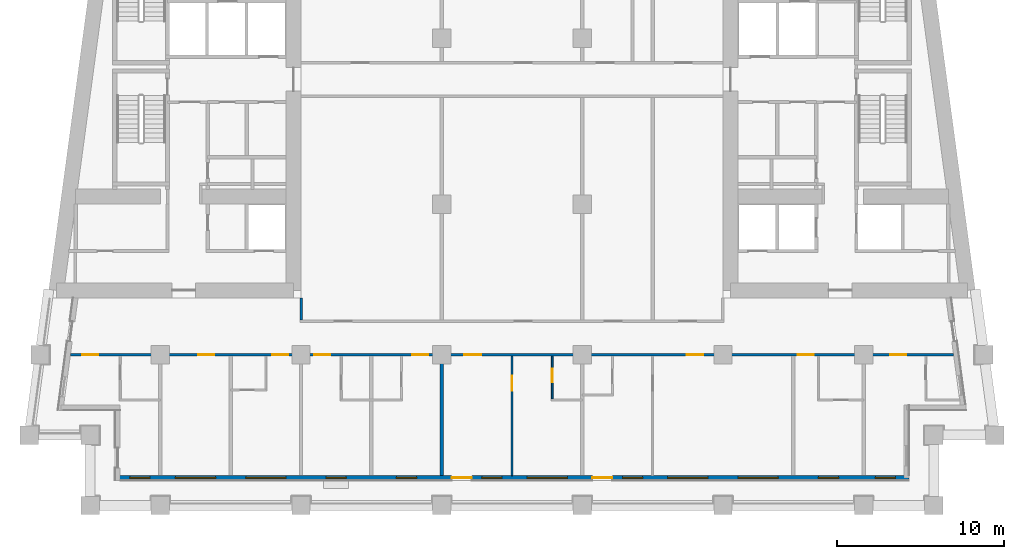
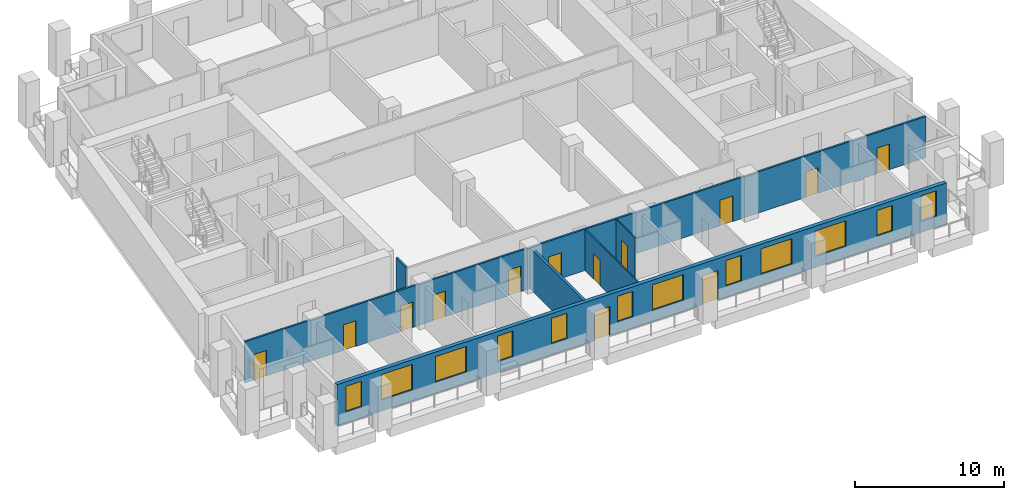
# One storey, part 3 of 13: 13 doors, 12 windows, 6 walls, 25 openings.
"""IFC4 building model written with IfcOpenShell, lengths in metres."""

from ifc_helpers import new_model, si_unit, direction, frame, frame_2d, origin, place, context, subcontext, project, spatial, rectangle, extrude, material, layer, layer_set, type_object, element, fill, save


model = new_model("IFC4")

# Units and contexts
model_context = context("Model", 3, precision=1e-05, world=origin(), true_north=direction((0.0, 1.0)))
body_context = subcontext(model_context, "Body", "Model", "MODEL_VIEW")
ifc_project = project(units=[si_unit("LENGTHUNIT", "METRE"), si_unit("AREAUNIT", "SQUARE_METRE"), si_unit("VOLUMEUNIT", "CUBIC_METRE"), si_unit("PLANEANGLEUNIT", "RADIAN"), si_unit("MASSUNIT", "GRAM", prefix="KILO")], contexts=[model_context])

# Site, building, storey
site_placement = place(None, origin())
site = spatial("IfcSite", under=ifc_project, at=site_placement, CompositionType="ELEMENT")
building_placement = place(site_placement, origin())
building = spatial("IfcBuilding", under=site, at=building_placement, Name="Candeia Pilgrim Tower and Theatre", CompositionType="ELEMENT")
storey_placement = place(building_placement, frame((0.0, 0.0, 155.199951171875)))
storey = spatial("IfcBuildingStorey", under=building, at=storey_placement, Name="L36", CompositionType="ELEMENT", Elevation=155.199951171875)

# Wall, openings, doors, windows
ifc_material_1 = material(Name="Ceramic block masonry", Category="masonry")
ifc_layer_1 = layer(ifc_material_1, 0.300048828125)
ifc_layer_set_1 = layer_set([ifc_layer_1], Name="EW1 glazing-line wall 300")
wall_type_1 = type_object("IfcWallType", Name="EW1 glazing-line wall 300", PredefinedType="SOLIDWALL", material=ifc_layer_set_1)
wall_1_placement = place(storey_placement, frame((89.85009765625, 99.64990234375, 0.0), z_axis=(0.0, 0.0, 1.0), x_axis=(1.0, 0.0, 0.0)))
wall_1 = element("IfcWall", 1, at=wall_1_placement, inside=storey, type_object=wall_type_1, Name="External wall L36-0.0", PredefinedType="SOLIDWALL", context=body_context, shape_type="SweptSolid", body=[
    extrude(rectangle(XDim=47.25, YDim=0.300048828125, at=frame_2d((23.625, 0.0))), origin(), (0.0, 0.0, 1.0), 3.380126953125),
])
opening_1_placement = place(wall_1_placement, frame((0.72509765625, 0.0, 0.89990234375)))
opening_1 = element("IfcOpeningElement", 2, at=opening_1_placement, cuts=wall_1, Name="Opening W-B", PredefinedType="OPENING", context=body_context, shape_type="SweptSolid", body=[
    extrude(rectangle(XDim=1.199951171875, YDim=2.10009765625, at=frame_2d((0.60009765625, 1.050048828125))), frame((0.0, 0.16015625, 0.0), z_axis=(0.0, -1.0, 0.0), x_axis=(1.0, 0.0, 0.0)), (0.0, 0.0, 1.0), 0.320068359375),
])
opening_2_placement = place(wall_1_placement, frame((3.449951171875, 0.0, 0.89990234375)))
opening_2 = element("IfcOpeningElement", 3, at=opening_2_placement, cuts=wall_1, Name="Opening W-A", PredefinedType="OPENING", context=body_context, shape_type="SweptSolid", body=[
    extrude(rectangle(XDim=2.39990234375, YDim=2.10009765625, at=frame_2d((1.199951171875, 1.050048828125))), frame((0.0, 0.16015625, 0.0), z_axis=(0.0, -1.0, 0.0), x_axis=(1.0, 0.0, 0.0)), (0.0, 0.0, 1.0), 0.320068359375),
])
opening_3_placement = place(wall_1_placement, frame((7.64990234375, 0.0, 0.89990234375)))
opening_3 = element("IfcOpeningElement", 4, at=opening_3_placement, cuts=wall_1, Name="Opening W-A", PredefinedType="OPENING", context=body_context, shape_type="SweptSolid", body=[
    extrude(rectangle(XDim=2.39990234375, YDim=2.10009765625, at=frame_2d((1.199951171875, 1.050048828125))), frame((0.0, 0.16015625, 0.0), z_axis=(0.0, -1.0, 0.0), x_axis=(1.0, 0.0, 0.0)), (0.0, 0.0, 1.0), 0.320068359375),
])
opening_4_placement = place(wall_1_placement, frame((12.449951171875, 0.0, 0.89990234375)))
opening_4 = element("IfcOpeningElement", 5, at=opening_4_placement, cuts=wall_1, Name="Opening W-B", PredefinedType="OPENING", context=body_context, shape_type="SweptSolid", body=[
    extrude(rectangle(XDim=1.199951171875, YDim=2.10009765625, at=frame_2d((0.60009765625, 1.050048828125))), frame((0.0, 0.16015625, 0.0), z_axis=(0.0, -1.0, 0.0), x_axis=(1.0, 0.0, 0.0)), (0.0, 0.0, 1.0), 0.320068359375),
])
opening_5_placement = place(wall_1_placement, frame((16.64990234375, 0.0, 0.89990234375)))
opening_5 = element("IfcOpeningElement", 6, at=opening_5_placement, cuts=wall_1, Name="Opening W-B", PredefinedType="OPENING", context=body_context, shape_type="SweptSolid", body=[
    extrude(rectangle(XDim=1.199951171875, YDim=2.10009765625, at=frame_2d((0.60009765625, 1.050048828125))), frame((0.0, 0.16015625, 0.0), z_axis=(0.0, -1.0, 0.0), x_axis=(1.0, 0.0, 0.0)), (0.0, 0.0, 1.0), 0.320068359375),
])
opening_6_placement = place(wall_1_placement, frame((19.949951171875, 0.0, 0.0)))
opening_6 = element("IfcOpeningElement", 7, at=opening_6_placement, cuts=wall_1, Name="Opening L36-ED344", PredefinedType="OPENING", context=body_context, shape_type="SweptSolid", body=[
    extrude(rectangle(XDim=1.199951171875, YDim=2.39990234375, at=frame_2d((0.60009765625, 1.199951171875))), frame((0.0, 0.16015625, 0.0), z_axis=(0.0, -1.0, 0.0), x_axis=(1.0, 0.0, 0.0)), (0.0, 0.0, 1.0), 0.320068359375),
])
opening_7_placement = place(wall_1_placement, frame((21.75, 0.0, 0.89990234375)))
opening_7 = element("IfcOpeningElement", 8, at=opening_7_placement, cuts=wall_1, Name="Opening W-B", PredefinedType="OPENING", context=body_context, shape_type="SweptSolid", body=[
    extrude(rectangle(XDim=1.199951171875, YDim=2.10009765625, at=frame_2d((0.60009765625, 1.050048828125))), frame((0.0, 0.16015625, 0.0), z_axis=(0.0, -1.0, 0.0), x_axis=(1.0, 0.0, 0.0)), (0.0, 0.0, 1.0), 0.320068359375),
])
opening_8_placement = place(wall_1_placement, frame((24.449951171875, 0.0, 0.89990234375)))
opening_8 = element("IfcOpeningElement", 9, at=opening_8_placement, cuts=wall_1, Name="Opening W-A", PredefinedType="OPENING", context=body_context, shape_type="SweptSolid", body=[
    extrude(rectangle(XDim=2.39990234375, YDim=2.10009765625, at=frame_2d((1.199951171875, 1.050048828125))), frame((0.0, 0.16015625, 0.0), z_axis=(0.0, -1.0, 0.0), x_axis=(1.0, 0.0, 0.0)), (0.0, 0.0, 1.0), 0.320068359375),
])
opening_9_placement = place(wall_1_placement, frame((28.35009765625, 0.0, 0.0)))
opening_9 = element("IfcOpeningElement", 10, at=opening_9_placement, cuts=wall_1, Name="Opening L36-ED345", PredefinedType="OPENING", context=body_context, shape_type="SweptSolid", body=[
    extrude(rectangle(XDim=1.199951171875, YDim=2.39990234375, at=frame_2d((0.60009765625, 1.199951171875))), frame((0.0, 0.16015625, 0.0), z_axis=(0.0, -1.0, 0.0), x_axis=(1.0, 0.0, 0.0)), (0.0, 0.0, 1.0), 0.320068359375),
])
opening_10_placement = place(wall_1_placement, frame((30.14990234375, 0.0, 0.89990234375)))
opening_10 = element("IfcOpeningElement", 11, at=opening_10_placement, cuts=wall_1, Name="Opening W-B", PredefinedType="OPENING", context=body_context, shape_type="SweptSolid", body=[
    extrude(rectangle(XDim=1.199951171875, YDim=2.10009765625, at=frame_2d((0.60009765625, 1.050048828125))), frame((0.0, 0.16015625, 0.0), z_axis=(0.0, -1.0, 0.0), x_axis=(1.0, 0.0, 0.0)), (0.0, 0.0, 1.0), 0.320068359375),
])
opening_11_placement = place(wall_1_placement, frame((32.85009765625, 0.0, 0.89990234375)))
opening_11 = element("IfcOpeningElement", 12, at=opening_11_placement, cuts=wall_1, Name="Opening W-A", PredefinedType="OPENING", context=body_context, shape_type="SweptSolid", body=[
    extrude(rectangle(XDim=2.39990234375, YDim=2.10009765625, at=frame_2d((1.199951171875, 1.050048828125))), frame((0.0, 0.16015625, 0.0), z_axis=(0.0, -1.0, 0.0), x_axis=(1.0, 0.0, 0.0)), (0.0, 0.0, 1.0), 0.320068359375),
])
opening_12_placement = place(wall_1_placement, frame((37.050048828125, 0.0, 0.89990234375)))
opening_12 = element("IfcOpeningElement", 13, at=opening_12_placement, cuts=wall_1, Name="Opening W-A", PredefinedType="OPENING", context=body_context, shape_type="SweptSolid", body=[
    extrude(rectangle(XDim=2.39990234375, YDim=2.10009765625, at=frame_2d((1.199951171875, 1.050048828125))), frame((0.0, 0.16015625, 0.0), z_axis=(0.0, -1.0, 0.0), x_axis=(1.0, 0.0, 0.0)), (0.0, 0.0, 1.0), 0.320068359375),
])
opening_13_placement = place(wall_1_placement, frame((41.85009765625, 0.0, 0.89990234375)))
opening_13 = element("IfcOpeningElement", 14, at=opening_13_placement, cuts=wall_1, Name="Opening W-B", PredefinedType="OPENING", context=body_context, shape_type="SweptSolid", body=[
    extrude(rectangle(XDim=1.199951171875, YDim=2.10009765625, at=frame_2d((0.60009765625, 1.050048828125))), frame((0.0, 0.16015625, 0.0), z_axis=(0.0, -1.0, 0.0), x_axis=(1.0, 0.0, 0.0)), (0.0, 0.0, 1.0), 0.320068359375),
])
opening_14_placement = place(wall_1_placement, frame((45.25, 0.0, 0.89990234375)))
opening_14 = element("IfcOpeningElement", 15, at=opening_14_placement, cuts=wall_1, Name="Opening W-B", PredefinedType="OPENING", context=body_context, shape_type="SweptSolid", body=[
    extrude(rectangle(XDim=1.199951171875, YDim=2.10009765625, at=frame_2d((0.60009765625, 1.050048828125))), frame((0.0, 0.16015625, 0.0), z_axis=(0.0, -1.0, 0.0), x_axis=(1.0, 0.0, 0.0)), (0.0, 0.0, 1.0), 0.320068359375),
])
ifc_material_2 = material(Name="Aluminium framed glazed door", Category="aluminium")
door_type_1 = type_object("IfcDoorType", Name="Loggia door 1200x2400", OperationType="DOUBLE_DOOR_SINGLE_SWING", PredefinedType="DOOR", material=ifc_material_2)
door_1_placement = place(opening_6_placement, origin())
door_1 = element("IfcDoor", 16, at=door_1_placement, inside=storey, type_object=door_type_1, Name="Loggia door L36-ED344", OperationType="DOUBLE_DOOR_SINGLE_SWING", OverallHeight=2.39990234375, OverallWidth=1.199951171875, PredefinedType="DOOR", context=body_context, shape_type="SweptSolid", body=[
    extrude(rectangle(XDim=1.199951171875, YDim=2.39990234375, at=frame_2d((0.60009765625, 1.199951171875))), frame((0.0, 0.02490234375, 0.0), z_axis=(0.0, -1.0, 0.0), x_axis=(1.0, 0.0, 0.0)), (0.0, 0.0, 1.0), 0.050048828125),
])
fill(opening_6, door_1)
door_2_placement = place(opening_9_placement, origin())
door_2 = element("IfcDoor", 17, at=door_2_placement, inside=storey, type_object=door_type_1, Name="Loggia door L36-ED345", OperationType="DOUBLE_DOOR_SINGLE_SWING", OverallHeight=2.39990234375, OverallWidth=1.199951171875, PredefinedType="DOOR", context=body_context, shape_type="SweptSolid", body=[
    extrude(rectangle(XDim=1.199951171875, YDim=2.39990234375, at=frame_2d((0.60009765625, 1.199951171875))), frame((0.0, 0.02490234375, 0.0), z_axis=(0.0, -1.0, 0.0), x_axis=(1.0, 0.0, 0.0)), (0.0, 0.0, 1.0), 0.050048828125),
])
fill(opening_9, door_2)
ifc_material_3 = material(Name="Aluminium framed double glazing", Category="aluminium")
window_type_1 = type_object("IfcWindowType", Name="W-A window 2400x2100", PartitioningType="DOUBLE_PANEL_VERTICAL", PredefinedType="WINDOW", material=ifc_material_3)
window_1_placement = place(opening_2_placement, origin())
window_1 = element("IfcWindow", 18, at=window_1_placement, inside=storey, type_object=window_type_1, Name="Window W-A L36", OverallHeight=2.10009765625, OverallWidth=2.39990234375, PartitioningType="SINGLE_PANEL", PredefinedType="WINDOW", context=body_context, shape_type="SweptSolid", body=[
    extrude(rectangle(XDim=2.39990234375, YDim=2.10009765625, at=frame_2d((1.199951171875, 1.050048828125))), frame((0.0, 0.030029296875, 0.0), z_axis=(0.0, -1.0, 0.0), x_axis=(1.0, 0.0, 0.0)), (0.0, 0.0, 1.0), 0.06005859375),
])
fill(opening_2, window_1)
window_2_placement = place(opening_3_placement, origin())
window_2 = element("IfcWindow", 19, at=window_2_placement, inside=storey, type_object=window_type_1, Name="Window W-A L36", OverallHeight=2.10009765625, OverallWidth=2.39990234375, PartitioningType="SINGLE_PANEL", PredefinedType="WINDOW", context=body_context, shape_type="SweptSolid", body=[
    extrude(rectangle(XDim=2.39990234375, YDim=2.10009765625, at=frame_2d((1.199951171875, 1.050048828125))), frame((0.0, 0.030029296875, 0.0), z_axis=(0.0, -1.0, 0.0), x_axis=(1.0, 0.0, 0.0)), (0.0, 0.0, 1.0), 0.06005859375),
])
fill(opening_3, window_2)
window_3_placement = place(opening_8_placement, origin())
window_3 = element("IfcWindow", 20, at=window_3_placement, inside=storey, type_object=window_type_1, Name="Window W-A L36", OverallHeight=2.10009765625, OverallWidth=2.39990234375, PartitioningType="SINGLE_PANEL", PredefinedType="WINDOW", context=body_context, shape_type="SweptSolid", body=[
    extrude(rectangle(XDim=2.39990234375, YDim=2.10009765625, at=frame_2d((1.199951171875, 1.050048828125))), frame((0.0, 0.030029296875, 0.0), z_axis=(0.0, -1.0, 0.0), x_axis=(1.0, 0.0, 0.0)), (0.0, 0.0, 1.0), 0.06005859375),
])
fill(opening_8, window_3)
window_4_placement = place(opening_11_placement, origin())
window_4 = element("IfcWindow", 21, at=window_4_placement, inside=storey, type_object=window_type_1, Name="Window W-A L36", OverallHeight=2.10009765625, OverallWidth=2.39990234375, PartitioningType="SINGLE_PANEL", PredefinedType="WINDOW", context=body_context, shape_type="SweptSolid", body=[
    extrude(rectangle(XDim=2.39990234375, YDim=2.10009765625, at=frame_2d((1.199951171875, 1.050048828125))), frame((0.0, 0.030029296875, 0.0), z_axis=(0.0, -1.0, 0.0), x_axis=(1.0, 0.0, 0.0)), (0.0, 0.0, 1.0), 0.06005859375),
])
fill(opening_11, window_4)
window_5_placement = place(opening_12_placement, origin())
window_5 = element("IfcWindow", 22, at=window_5_placement, inside=storey, type_object=window_type_1, Name="Window W-A L36", OverallHeight=2.10009765625, OverallWidth=2.39990234375, PartitioningType="SINGLE_PANEL", PredefinedType="WINDOW", context=body_context, shape_type="SweptSolid", body=[
    extrude(rectangle(XDim=2.39990234375, YDim=2.10009765625, at=frame_2d((1.199951171875, 1.050048828125))), frame((0.0, 0.030029296875, 0.0), z_axis=(0.0, -1.0, 0.0), x_axis=(1.0, 0.0, 0.0)), (0.0, 0.0, 1.0), 0.06005859375),
])
fill(opening_12, window_5)
window_type_2 = type_object("IfcWindowType", Name="W-B window 1200x2100", PartitioningType="SINGLE_PANEL", PredefinedType="WINDOW", material=ifc_material_3)
window_6_placement = place(opening_1_placement, origin())
window_6 = element("IfcWindow", 23, at=window_6_placement, inside=storey, type_object=window_type_2, Name="Window W-B L36", OverallHeight=2.10009765625, OverallWidth=1.199951171875, PartitioningType="SINGLE_PANEL", PredefinedType="WINDOW", context=body_context, shape_type="SweptSolid", body=[
    extrude(rectangle(XDim=1.199951171875, YDim=2.10009765625, at=frame_2d((0.60009765625, 1.050048828125))), frame((0.0, 0.030029296875, 0.0), z_axis=(0.0, -1.0, 0.0), x_axis=(1.0, 0.0, 0.0)), (0.0, 0.0, 1.0), 0.06005859375),
])
fill(opening_1, window_6)
window_7_placement = place(opening_4_placement, origin())
window_7 = element("IfcWindow", 24, at=window_7_placement, inside=storey, type_object=window_type_2, Name="Window W-B L36", OverallHeight=2.10009765625, OverallWidth=1.199951171875, PartitioningType="SINGLE_PANEL", PredefinedType="WINDOW", context=body_context, shape_type="SweptSolid", body=[
    extrude(rectangle(XDim=1.199951171875, YDim=2.10009765625, at=frame_2d((0.60009765625, 1.050048828125))), frame((0.0, 0.030029296875, 0.0), z_axis=(0.0, -1.0, 0.0), x_axis=(1.0, 0.0, 0.0)), (0.0, 0.0, 1.0), 0.06005859375),
])
fill(opening_4, window_7)
window_8_placement = place(opening_5_placement, origin())
window_8 = element("IfcWindow", 25, at=window_8_placement, inside=storey, type_object=window_type_2, Name="Window W-B L36", OverallHeight=2.10009765625, OverallWidth=1.199951171875, PartitioningType="SINGLE_PANEL", PredefinedType="WINDOW", context=body_context, shape_type="SweptSolid", body=[
    extrude(rectangle(XDim=1.199951171875, YDim=2.10009765625, at=frame_2d((0.60009765625, 1.050048828125))), frame((0.0, 0.030029296875, 0.0), z_axis=(0.0, -1.0, 0.0), x_axis=(1.0, 0.0, 0.0)), (0.0, 0.0, 1.0), 0.06005859375),
])
fill(opening_5, window_8)
window_9_placement = place(opening_7_placement, origin())
window_9 = element("IfcWindow", 26, at=window_9_placement, inside=storey, type_object=window_type_2, Name="Window W-B L36", OverallHeight=2.10009765625, OverallWidth=1.199951171875, PartitioningType="SINGLE_PANEL", PredefinedType="WINDOW", context=body_context, shape_type="SweptSolid", body=[
    extrude(rectangle(XDim=1.199951171875, YDim=2.10009765625, at=frame_2d((0.60009765625, 1.050048828125))), frame((0.0, 0.030029296875, 0.0), z_axis=(0.0, -1.0, 0.0), x_axis=(1.0, 0.0, 0.0)), (0.0, 0.0, 1.0), 0.06005859375),
])
fill(opening_7, window_9)
window_10_placement = place(opening_10_placement, origin())
window_10 = element("IfcWindow", 27, at=window_10_placement, inside=storey, type_object=window_type_2, Name="Window W-B L36", OverallHeight=2.10009765625, OverallWidth=1.199951171875, PartitioningType="SINGLE_PANEL", PredefinedType="WINDOW", context=body_context, shape_type="SweptSolid", body=[
    extrude(rectangle(XDim=1.199951171875, YDim=2.10009765625, at=frame_2d((0.60009765625, 1.050048828125))), frame((0.0, 0.030029296875, 0.0), z_axis=(0.0, -1.0, 0.0), x_axis=(1.0, 0.0, 0.0)), (0.0, 0.0, 1.0), 0.06005859375),
])
fill(opening_10, window_10)
window_11_placement = place(opening_13_placement, origin())
window_11 = element("IfcWindow", 28, at=window_11_placement, inside=storey, type_object=window_type_2, Name="Window W-B L36", OverallHeight=2.10009765625, OverallWidth=1.199951171875, PartitioningType="SINGLE_PANEL", PredefinedType="WINDOW", context=body_context, shape_type="SweptSolid", body=[
    extrude(rectangle(XDim=1.199951171875, YDim=2.10009765625, at=frame_2d((0.60009765625, 1.050048828125))), frame((0.0, 0.030029296875, 0.0), z_axis=(0.0, -1.0, 0.0), x_axis=(1.0, 0.0, 0.0)), (0.0, 0.0, 1.0), 0.06005859375),
])
fill(opening_13, window_11)
window_12_placement = place(opening_14_placement, origin())
window_12 = element("IfcWindow", 29, at=window_12_placement, inside=storey, type_object=window_type_2, Name="Window W-B L36", OverallHeight=2.10009765625, OverallWidth=1.199951171875, PartitioningType="SINGLE_PANEL", PredefinedType="WINDOW", context=body_context, shape_type="SweptSolid", body=[
    extrude(rectangle(XDim=1.199951171875, YDim=2.10009765625, at=frame_2d((0.60009765625, 1.050048828125))), frame((0.0, 0.030029296875, 0.0), z_axis=(0.0, -1.0, 0.0), x_axis=(1.0, 0.0, 0.0)), (0.0, 0.0, 1.0), 0.06005859375),
])
fill(opening_14, window_12)

# Wall, opening, door
ifc_material_4 = material(Name="Gypsum board partition on steel studs", Category="steel")
ifc_layer_2 = layer(ifc_material_4, 0.10009765625)
ifc_layer_set_2 = layer_set([ifc_layer_2], Name="PW-100 room partition")
wall_type_2 = type_object("IfcWallType", Name="PW-100 room partition", PredefinedType="PARTITIONING", material=ifc_layer_set_2)
wall_2_placement = place(storey_placement, frame((113.39990234375, 99.7900390625, 0.0), z_axis=(0.0, 0.0, 1.0), x_axis=(0.0, 1.0, 0.0)))
wall_2 = element("IfcWall", 30, at=wall_2_placement, inside=storey, type_object=wall_type_2, Name="Room partition L36-082", PredefinedType="PARTITIONING", context=body_context, shape_type="SweptSolid", body=[
    extrude(rectangle(XDim=7.135009765625, YDim=0.10009765625, at=frame_2d((3.5673828125, 0.0))), origin(), (0.0, 0.0, 1.0), 3.380126953125),
])
opening_15_placement = place(wall_2_placement, frame((5.074951171875, 0.0, 0.0)))
opening_15 = element("IfcOpeningElement", 31, at=opening_15_placement, cuts=wall_2, Name="Opening L36-D026", PredefinedType="OPENING", context=body_context, shape_type="SweptSolid", body=[
    extrude(rectangle(XDim=0.89990234375, YDim=2.10009765625, at=frame_2d((0.449951171875, 1.050048828125))), frame((0.0, 0.06005859375, 0.0), z_axis=(0.0, -1.0, 0.0), x_axis=(1.0, 0.0, 0.0)), (0.0, 0.0, 1.0), 0.1201171875),
])
ifc_material_5 = material(Name="Timber door leaf", Category="wood")
door_type_2 = type_object("IfcDoorType", Name="D-900", OperationType="NOTDEFINED", PredefinedType="DOOR", material=ifc_material_5)
door_3_placement = place(opening_15_placement, origin())
door_3 = element("IfcDoor", 32, at=door_3_placement, inside=storey, type_object=door_type_2, Name="Door L36-D026", OperationType="SINGLE_SWING_RIGHT", OverallHeight=2.10009765625, OverallWidth=0.89990234375, PredefinedType="DOOR", context=body_context, shape_type="SweptSolid", body=[
    extrude(rectangle(XDim=0.89990234375, YDim=2.10009765625, at=frame_2d((0.449951171875, 1.050048828125))), frame((0.0, 0.02490234375, 0.0), z_axis=(0.0, -1.0, 0.0), x_axis=(1.0, 0.0, 0.0)), (0.0, 0.0, 1.0), 0.050048828125),
])
fill(opening_15, door_3)

wall_3_placement = place(storey_placement, frame((115.800048828125, 104.35009765625, 0.0), z_axis=(0.0, 0.0, 1.0), x_axis=(0.0, 1.0, 0.0)))
wall_3 = element("IfcWall", 33, at=wall_3_placement, inside=storey, type_object=wall_type_2, Name="Room partition L36-084", PredefinedType="PARTITIONING", context=body_context, shape_type="SweptSolid", body=[
    extrude(rectangle(XDim=2.574951171875, YDim=0.10009765625, at=frame_2d((1.28759765625, 0.0))), origin(), (0.0, 0.0, 1.0), 3.380126953125),
])
opening_16_placement = place(wall_3_placement, frame((1.02001953125, 0.0, 0.0)))
opening_16 = element("IfcOpeningElement", 34, at=opening_16_placement, cuts=wall_3, Name="Opening L36-D027", PredefinedType="OPENING", context=body_context, shape_type="SweptSolid", body=[
    extrude(rectangle(XDim=0.800048828125, YDim=2.10009765625, at=frame_2d((0.39990234375, 1.050048828125))), frame((0.0, 0.06005859375, 0.0), z_axis=(0.0, -1.0, 0.0), x_axis=(1.0, 0.0, 0.0)), (0.0, 0.0, 1.0), 0.1201171875),
])
door_type_3 = type_object("IfcDoorType", Name="D-800", OperationType="NOTDEFINED", PredefinedType="DOOR", material=ifc_material_5)
door_4_placement = place(opening_16_placement, origin())
door_4 = element("IfcDoor", 35, at=door_4_placement, inside=storey, type_object=door_type_3, Name="Door L36-D027", OperationType="SINGLE_SWING_LEFT", OverallHeight=2.10009765625, OverallWidth=0.800048828125, PredefinedType="DOOR", context=body_context, shape_type="SweptSolid", body=[
    extrude(rectangle(XDim=0.800048828125, YDim=2.10009765625, at=frame_2d((0.39990234375, 1.050048828125))), frame((0.0, 0.02490234375, 0.0), z_axis=(0.0, -1.0, 0.0), x_axis=(1.0, 0.0, 0.0)), (0.0, 0.0, 1.0), 0.050048828125),
])
fill(opening_16, door_4)

# Wall, openings, doors
ifc_layer_3 = layer(ifc_material_4, 0.14990234375)
ifc_layer_set_3 = layer_set([ifc_layer_3], Name="PW-150 unit wall")
wall_type_3 = type_object("IfcWallType", Name="PW-150 unit wall", PredefinedType="PARTITIONING", material=ifc_layer_set_3)
wall_4_placement = place(storey_placement, frame((87.017578125, 107.0, 0.0), z_axis=(0.0, 0.0, 1.0), x_axis=(1.0, 0.0, 0.0)))
wall_4 = element("IfcWall", 36, at=wall_4_placement, inside=storey, type_object=wall_type_3, Name="Unit wall L36-008", PredefinedType="PARTITIONING", context=body_context, shape_type="SweptSolid", body=[
    extrude(rectangle(XDim=52.7646484375, YDim=0.14990234375, at=frame_2d((26.38232421875, 0.0))), origin(), (0.0, 0.0, 1.0), 3.380126953125),
])
opening_17_placement = place(wall_4_placement, frame((0.707275390625, 0.0, 0.0)))
opening_17 = element("IfcOpeningElement", 37, at=opening_17_placement, cuts=wall_4, Name="Opening L36-D016", PredefinedType="OPENING", context=body_context, shape_type="SweptSolid", body=[
    extrude(rectangle(XDim=0.949951171875, YDim=2.10009765625, at=frame_2d((0.47509765625, 1.050048828125))), frame((0.0, 0.0849609375, 0.0), z_axis=(0.0, -1.0, 0.0), x_axis=(1.0, 0.0, 0.0)), (0.0, 0.0, 1.0), 0.169921875),
])
opening_18_placement = place(wall_4_placement, frame((7.645263671875, 0.0, 0.0)))
opening_18 = element("IfcOpeningElement", 38, at=opening_18_placement, cuts=wall_4, Name="Opening L36-D018", PredefinedType="OPENING", context=body_context, shape_type="SweptSolid", body=[
    extrude(rectangle(XDim=0.949951171875, YDim=2.10009765625, at=frame_2d((0.47509765625, 1.050048828125))), frame((0.0, 0.0849609375, 0.0), z_axis=(0.0, -1.0, 0.0), x_axis=(1.0, 0.0, 0.0)), (0.0, 0.0, 1.0), 0.169921875),
])
opening_19_placement = place(wall_4_placement, frame((12.0673828125, 0.0, 0.0)))
opening_19 = element("IfcOpeningElement", 39, at=opening_19_placement, cuts=wall_4, Name="Opening L36-D019", PredefinedType="OPENING", context=body_context, shape_type="SweptSolid", body=[
    extrude(rectangle(XDim=0.949951171875, YDim=2.10009765625, at=frame_2d((0.47509765625, 1.050048828125))), frame((0.0, 0.0849609375, 0.0), z_axis=(0.0, -1.0, 0.0), x_axis=(1.0, 0.0, 0.0)), (0.0, 0.0, 1.0), 0.169921875),
])
opening_20_placement = place(wall_4_placement, frame((14.582275390625, 0.0, 0.0)))
opening_20 = element("IfcOpeningElement", 40, at=opening_20_placement, cuts=wall_4, Name="Opening L36-D021", PredefinedType="OPENING", context=body_context, shape_type="SweptSolid", body=[
    extrude(rectangle(XDim=0.949951171875, YDim=2.10009765625, at=frame_2d((0.47509765625, 1.050048828125))), frame((0.0, 0.0849609375, 0.0), z_axis=(0.0, -1.0, 0.0), x_axis=(1.0, 0.0, 0.0)), (0.0, 0.0, 1.0), 0.169921875),
])
opening_21_placement = place(wall_4_placement, frame((20.432373046875, 0.0, 0.0)))
opening_21 = element("IfcOpeningElement", 41, at=opening_21_placement, cuts=wall_4, Name="Opening L36-D023", PredefinedType="OPENING", context=body_context, shape_type="SweptSolid", body=[
    extrude(rectangle(XDim=0.949951171875, YDim=2.10009765625, at=frame_2d((0.47509765625, 1.050048828125))), frame((0.0, 0.0849609375, 0.0), z_axis=(0.0, -1.0, 0.0), x_axis=(1.0, 0.0, 0.0)), (0.0, 0.0, 1.0), 0.169921875),
])
opening_22_placement = place(wall_4_placement, frame((23.5322265625, 0.0, 0.0)))
opening_22 = element("IfcOpeningElement", 42, at=opening_22_placement, cuts=wall_4, Name="Opening L36-D025", PredefinedType="OPENING", context=body_context, shape_type="SweptSolid", body=[
    extrude(rectangle(XDim=1.0, YDim=2.10009765625, at=frame_2d((0.5, 1.050048828125))), frame((0.0, 0.0849609375, 0.0), z_axis=(0.0, -1.0, 0.0), x_axis=(1.0, 0.0, 0.0)), (0.0, 0.0, 1.0), 0.169921875),
])
opening_23_placement = place(wall_4_placement, frame((36.807373046875, 0.0, 0.0)))
opening_23 = element("IfcOpeningElement", 43, at=opening_23_placement, cuts=wall_4, Name="Opening L36-D028", PredefinedType="OPENING", context=body_context, shape_type="SweptSolid", body=[
    extrude(rectangle(XDim=1.0, YDim=2.10009765625, at=frame_2d((0.5, 1.050048828125))), frame((0.0, 0.0849609375, 0.0), z_axis=(0.0, -1.0, 0.0), x_axis=(1.0, 0.0, 0.0)), (0.0, 0.0, 1.0), 0.169921875),
])
opening_24_placement = place(wall_4_placement, frame((43.457275390625, 0.0, 0.0)))
opening_24 = element("IfcOpeningElement", 44, at=opening_24_placement, cuts=wall_4, Name="Opening L36-D031", PredefinedType="OPENING", context=body_context, shape_type="SweptSolid", body=[
    extrude(rectangle(XDim=0.949951171875, YDim=2.10009765625, at=frame_2d((0.47509765625, 1.050048828125))), frame((0.0, 0.0849609375, 0.0), z_axis=(0.0, -1.0, 0.0), x_axis=(1.0, 0.0, 0.0)), (0.0, 0.0, 1.0), 0.169921875),
])
opening_25_placement = place(wall_4_placement, frame((48.974365234375, 0.0, 0.0)))
opening_25 = element("IfcOpeningElement", 45, at=opening_25_placement, cuts=wall_4, Name="Opening L36-D033", PredefinedType="OPENING", context=body_context, shape_type="SweptSolid", body=[
    extrude(rectangle(XDim=0.949951171875, YDim=2.10009765625, at=frame_2d((0.47509765625, 1.050048828125))), frame((0.0, 0.0849609375, 0.0), z_axis=(0.0, -1.0, 0.0), x_axis=(1.0, 0.0, 0.0)), (0.0, 0.0, 1.0), 0.169921875),
])
ifc_material_6 = material(Name="Steel fire door set", Category="steel")
door_type_4 = type_object("IfcDoorType", Name="D-1000-FD30S", OperationType="NOTDEFINED", PredefinedType="DOOR", material=ifc_material_6)
door_5_placement = place(opening_22_placement, origin())
door_5 = element("IfcDoor", 46, at=door_5_placement, inside=storey, type_object=door_type_4, Name="Door L36-D025", OperationType="SINGLE_SWING_LEFT", OverallHeight=2.10009765625, OverallWidth=1.0, PredefinedType="DOOR", context=body_context, shape_type="SweptSolid", body=[
    extrude(rectangle(XDim=1.0, YDim=2.10009765625, at=frame_2d((0.5, 1.050048828125))), frame((0.0, 0.02490234375, 0.0), z_axis=(0.0, -1.0, 0.0), x_axis=(1.0, 0.0, 0.0)), (0.0, 0.0, 1.0), 0.050048828125),
])
fill(opening_22, door_5)
door_6_placement = place(opening_23_placement, origin())
door_6 = element("IfcDoor", 47, at=door_6_placement, inside=storey, type_object=door_type_4, Name="Door L36-D028", OperationType="SINGLE_SWING_RIGHT", OverallHeight=2.10009765625, OverallWidth=1.0, PredefinedType="DOOR", context=body_context, shape_type="SweptSolid", body=[
    extrude(rectangle(XDim=1.0, YDim=2.10009765625, at=frame_2d((0.5, 1.050048828125))), frame((0.0, 0.02490234375, 0.0), z_axis=(0.0, -1.0, 0.0), x_axis=(1.0, 0.0, 0.0)), (0.0, 0.0, 1.0), 0.050048828125),
])
fill(opening_23, door_6)
door_type_5 = type_object("IfcDoorType", Name="D-950-FD30S", OperationType="NOTDEFINED", PredefinedType="DOOR", material=ifc_material_6)
door_7_placement = place(opening_17_placement, origin())
door_7 = element("IfcDoor", 48, at=door_7_placement, inside=storey, type_object=door_type_5, Name="Door L36-D016", OperationType="SINGLE_SWING_RIGHT", OverallHeight=2.10009765625, OverallWidth=0.949951171875, PredefinedType="DOOR", context=body_context, shape_type="SweptSolid", body=[
    extrude(rectangle(XDim=0.949951171875, YDim=2.10009765625, at=frame_2d((0.47509765625, 1.050048828125))), frame((0.0, 0.02490234375, 0.0), z_axis=(0.0, -1.0, 0.0), x_axis=(1.0, 0.0, 0.0)), (0.0, 0.0, 1.0), 0.050048828125),
])
fill(opening_17, door_7)
door_8_placement = place(opening_18_placement, origin())
door_8 = element("IfcDoor", 49, at=door_8_placement, inside=storey, type_object=door_type_5, Name="Door L36-D018", OperationType="SINGLE_SWING_RIGHT", OverallHeight=2.10009765625, OverallWidth=0.949951171875, PredefinedType="DOOR", context=body_context, shape_type="SweptSolid", body=[
    extrude(rectangle(XDim=0.949951171875, YDim=2.10009765625, at=frame_2d((0.47509765625, 1.050048828125))), frame((0.0, 0.02490234375, 0.0), z_axis=(0.0, -1.0, 0.0), x_axis=(1.0, 0.0, 0.0)), (0.0, 0.0, 1.0), 0.050048828125),
])
fill(opening_18, door_8)
door_9_placement = place(opening_19_placement, origin())
door_9 = element("IfcDoor", 50, at=door_9_placement, inside=storey, type_object=door_type_5, Name="Door L36-D019", OperationType="SINGLE_SWING_LEFT", OverallHeight=2.10009765625, OverallWidth=0.949951171875, PredefinedType="DOOR", context=body_context, shape_type="SweptSolid", body=[
    extrude(rectangle(XDim=0.949951171875, YDim=2.10009765625, at=frame_2d((0.47509765625, 1.050048828125))), frame((0.0, 0.02490234375, 0.0), z_axis=(0.0, -1.0, 0.0), x_axis=(1.0, 0.0, 0.0)), (0.0, 0.0, 1.0), 0.050048828125),
])
fill(opening_19, door_9)
door_10_placement = place(opening_20_placement, origin())
door_10 = element("IfcDoor", 51, at=door_10_placement, inside=storey, type_object=door_type_5, Name="Door L36-D021", OperationType="SINGLE_SWING_LEFT", OverallHeight=2.10009765625, OverallWidth=0.949951171875, PredefinedType="DOOR", context=body_context, shape_type="SweptSolid", body=[
    extrude(rectangle(XDim=0.949951171875, YDim=2.10009765625, at=frame_2d((0.47509765625, 1.050048828125))), frame((0.0, 0.02490234375, 0.0), z_axis=(0.0, -1.0, 0.0), x_axis=(1.0, 0.0, 0.0)), (0.0, 0.0, 1.0), 0.050048828125),
])
fill(opening_20, door_10)
door_11_placement = place(opening_21_placement, origin())
door_11 = element("IfcDoor", 52, at=door_11_placement, inside=storey, type_object=door_type_5, Name="Door L36-D023", OperationType="SINGLE_SWING_LEFT", OverallHeight=2.10009765625, OverallWidth=0.949951171875, PredefinedType="DOOR", context=body_context, shape_type="SweptSolid", body=[
    extrude(rectangle(XDim=0.949951171875, YDim=2.10009765625, at=frame_2d((0.47509765625, 1.050048828125))), frame((0.0, 0.02490234375, 0.0), z_axis=(0.0, -1.0, 0.0), x_axis=(1.0, 0.0, 0.0)), (0.0, 0.0, 1.0), 0.050048828125),
])
fill(opening_21, door_11)
door_12_placement = place(opening_24_placement, origin())
door_12 = element("IfcDoor", 53, at=door_12_placement, inside=storey, type_object=door_type_5, Name="Door L36-D031", OperationType="SINGLE_SWING_LEFT", OverallHeight=2.10009765625, OverallWidth=0.949951171875, PredefinedType="DOOR", context=body_context, shape_type="SweptSolid", body=[
    extrude(rectangle(XDim=0.949951171875, YDim=2.10009765625, at=frame_2d((0.47509765625, 1.050048828125))), frame((0.0, 0.02490234375, 0.0), z_axis=(0.0, -1.0, 0.0), x_axis=(1.0, 0.0, 0.0)), (0.0, 0.0, 1.0), 0.050048828125),
])
fill(opening_24, door_12)
door_13_placement = place(opening_25_placement, origin())
door_13 = element("IfcDoor", 54, at=door_13_placement, inside=storey, type_object=door_type_5, Name="Door L36-D033", OperationType="SINGLE_SWING_LEFT", OverallHeight=2.10009765625, OverallWidth=0.949951171875, PredefinedType="DOOR", context=body_context, shape_type="SweptSolid", body=[
    extrude(rectangle(XDim=0.949951171875, YDim=2.10009765625, at=frame_2d((0.47509765625, 1.050048828125))), frame((0.0, 0.02490234375, 0.0), z_axis=(0.0, -1.0, 0.0), x_axis=(1.0, 0.0, 0.0)), (0.0, 0.0, 1.0), 0.050048828125),
])
fill(opening_25, door_13)

# Walls
wall_5_placement = place(storey_placement, frame((100.800048828125, 109.074951171875, 0.0), z_axis=(0.0, 0.0, 1.0), x_axis=(0.0, 1.0, 0.0)))
element("IfcWall", 55, at=wall_5_placement, inside=storey, type_object=wall_type_3, Name="Unit wall L36-072", PredefinedType="PARTITIONING", context=body_context, shape_type="SweptSolid", body=[
    extrude(rectangle(XDim=1.324951171875, YDim=0.14990234375, at=frame_2d((0.66259765625, 0.0))), origin(), (0.0, 0.0, 1.0), 3.380126953125),
])
ifc_layer_4 = layer(ifc_material_4, 0.199951171875)
ifc_layer_set_4 = layer_set([ifc_layer_4], Name="PW-200 party wall")
wall_type_4 = type_object("IfcWallType", Name="PW-200 party wall", PredefinedType="PARTITIONING", material=ifc_layer_set_4)
wall_6_placement = place(storey_placement, frame((109.199951171875, 99.7900390625, 0.0), z_axis=(0.0, 0.0, 1.0), x_axis=(0.0, 1.0, 0.0)))
element("IfcWall", 56, at=wall_6_placement, inside=storey, type_object=wall_type_4, Name="Party wall L36-078", PredefinedType="PARTITIONING", context=body_context, shape_type="SweptSolid", body=[
    extrude(rectangle(XDim=7.135009765625, YDim=0.199951171875, at=frame_2d((3.5673828125, 0.0))), origin(), (0.0, 0.0, 1.0), 3.380126953125),
])

save(model, "model.ifc")
